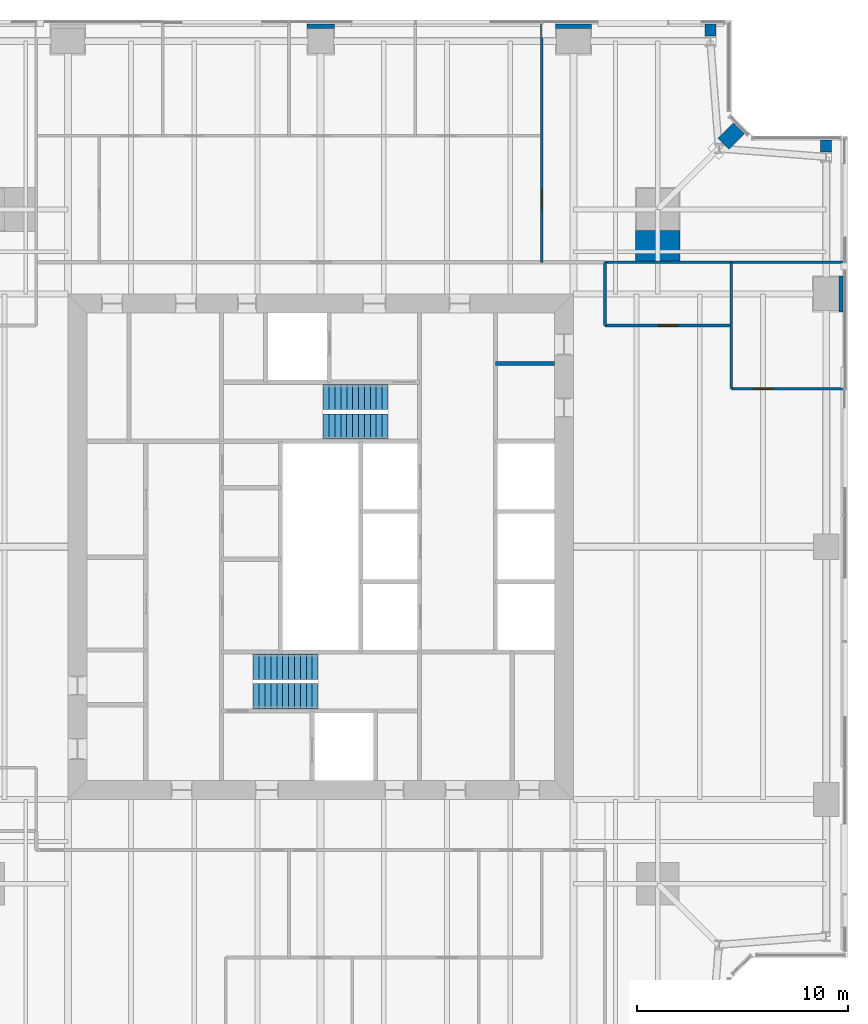
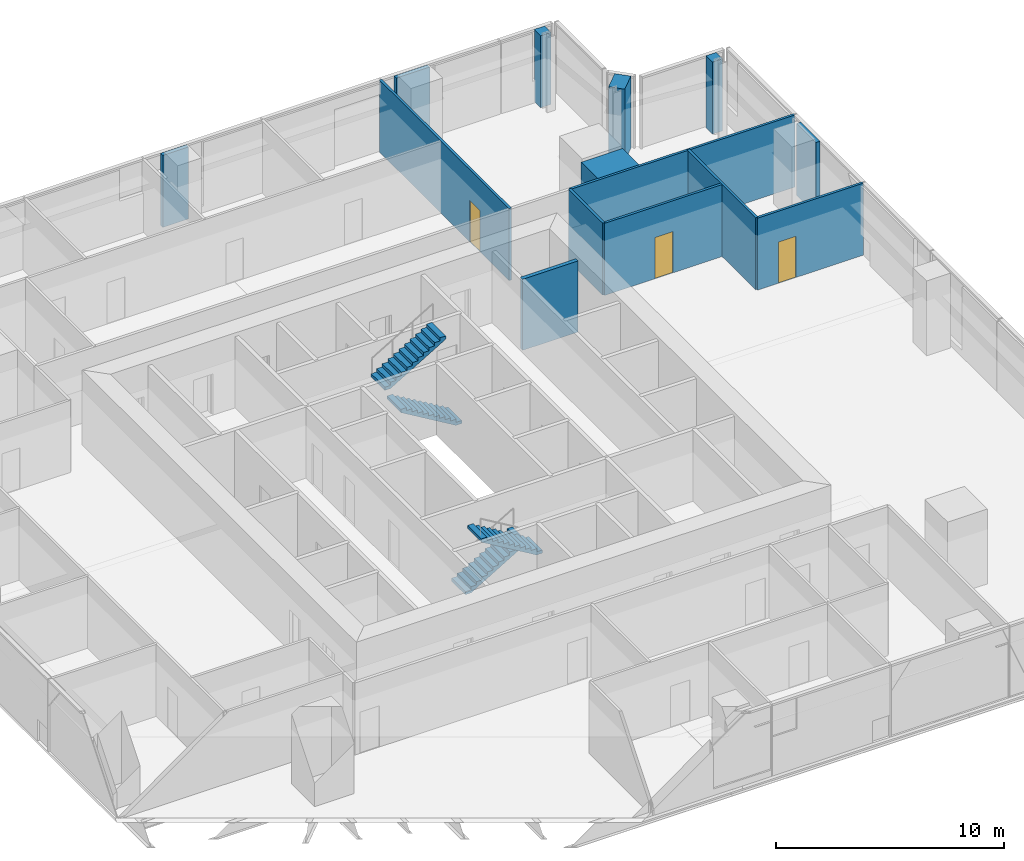
# One storey, part 12 of 14: 14 walls, 4 stair flights, 3 doors, 3 openings, 2 elements without a shape of their own.
"""IFC4 building model written with IfcOpenShell, lengths in metres."""

from ifc_helpers import new_model, si_unit, direction, frame, frame_2d, origin, place, context, subcontext, project, spatial, polyline, rectangle, outline, extrude, material, layer, layer_set, type_object, element, fill, aggregate, save


model = new_model("IFC4")

# Units and contexts
model_context = context("Model", 3, precision=1e-05, world=origin(), true_north=direction((0.0, 1.0)))
body_context = subcontext(model_context, "Body", "Model", "MODEL_VIEW")
ifc_project = project(units=[si_unit("LENGTHUNIT", "METRE"), si_unit("AREAUNIT", "SQUARE_METRE"), si_unit("VOLUMEUNIT", "CUBIC_METRE"), si_unit("PLANEANGLEUNIT", "RADIAN"), si_unit("MASSUNIT", "GRAM", prefix="KILO")], contexts=[model_context])

# Site, building, storey
site_placement = place(None, origin())
site = spatial("IfcSite", under=ifc_project, at=site_placement, CompositionType="ELEMENT")
building_placement = place(site_placement, origin())
building = spatial("IfcBuilding", under=site, at=building_placement, Name="Fenwick Lantern Interchange", CompositionType="ELEMENT")
storey_placement = place(building_placement, frame((0.0, 0.0, 189.800048828125)))
storey = spatial("IfcBuildingStorey", under=building, at=storey_placement, Name="L44", CompositionType="ELEMENT", Elevation=189.800048828125)

# Walls
ifc_material_1 = material(Name="Fire-rated gypsum board encasement on steel studs, 2 hour", Category="steel")
ifc_layer_1 = layer(ifc_material_1, 1.300048828125)
ifc_layer_set_1 = layer_set([ifc_layer_1], Name="COLUMN PIER 1300")
wall_type_1 = type_object("IfcWallType", Name="COLUMN PIER 1300", PredefinedType="PARTITIONING", material=ifc_layer_set_1)
wall_1_placement = place(storey_placement, frame((25.0, 49.800048828125, 0.0), z_axis=(0.0, 0.0, 1.0), x_axis=(0.0, -1.0, 0.0)))
element("IfcWall", 1, at=wall_1_placement, inside=storey, type_object=wall_type_1, Name="L44/W/PIER/CN3", PredefinedType="PARTITIONING", context=body_context, shape_type="SweptSolid", body=[
    extrude(rectangle(XDim=0.199951171875, YDim=1.300048828125, at=frame_2d((0.10009765625, 0.0))), origin(), (0.0, 0.0, 1.0), 3.849853515625),
])
ifc_layer_2 = layer(ifc_material_1, 1.699951171875)
ifc_layer_set_2 = layer_set([ifc_layer_2], Name="COLUMN PIER 1700")
wall_type_2 = type_object("IfcWallType", Name="COLUMN PIER 1700", PredefinedType="PARTITIONING", material=ifc_layer_set_2)
for number, where, z_axis, x_axis, name in (
    (2, (49.800048828125, 37.0, 0.0), (0.0, 0.0, 1.0), (-1.0, 0.0, 0.0), "L44/W/PIER/CE4"),
    (3, (37.0, 49.800048828125, 0.0), (0.0, 0.0, 1.0), (0.0, -1.0, 0.0), "L44/W/PIER/CN2"),
):
    element("IfcWall", number, at=place(storey_placement, frame(where, z_axis=z_axis, x_axis=x_axis)), inside=storey, type_object=wall_type_2, Name=name, PredefinedType="PARTITIONING", context=body_context, shape_type="SweptSolid", body=[
        extrude(rectangle(XDim=0.199951171875, YDim=1.699951171875, at=frame_2d((0.10009765625, 0.0))), origin(), (0.0, 0.0, 1.0), 3.849853515625),
    ])
ifc_layer_3 = layer(ifc_material_1, 2.10009765625)
ifc_layer_set_3 = layer_set([ifc_layer_3], Name="COLUMN PIER 2100")
wall_type_3 = type_object("IfcWallType", Name="COLUMN PIER 2100", PredefinedType="PARTITIONING", material=ifc_layer_set_3)
wall_2_placement = place(storey_placement, frame((41.0, 38.5625, 0.0), z_axis=(0.0, 0.0, 1.0), x_axis=(0.0, 1.0, 0.0)))
element("IfcWall", 4, at=wall_2_placement, inside=storey, type_object=wall_type_3, Name="L44/W/PIER/M3", PredefinedType="PARTITIONING", context=body_context, shape_type="SweptSolid", body=[
    extrude(rectangle(XDim=1.4375, YDim=2.10009765625, at=frame_2d((0.71875, 0.0))), origin(), (0.0, 0.0, 1.0), 3.849853515625),
])
ifc_layer_4 = layer(ifc_material_1, 0.52392578125)
ifc_layer_set_4 = layer_set([ifc_layer_4], Name="COLUMN PIER 524")
wall_type_4 = type_object("IfcWallType", Name="COLUMN PIER 524", PredefinedType="PARTITIONING", material=ifc_layer_set_4)
for number, where, z_axis, x_axis, name in (
    (5, (49.0, 44.300048828125, 0.0), (0.0, 0.0, 1.0), (0.0, -1.0, 0.0), "L44/W/PIER/CE5"),
    (6, (43.5, 49.800048828125, 0.0), (0.0, 0.0, 1.0), (0.0, -1.0, 0.0), "L44/W/PIER/CN1"),
):
    element("IfcWall", number, at=place(storey_placement, frame(where, z_axis=z_axis, x_axis=x_axis)), inside=storey, type_object=wall_type_4, Name=name, PredefinedType="PARTITIONING", context=body_context, shape_type="SweptSolid", body=[
        extrude(rectangle(XDim=0.5625, YDim=0.52392578125, at=frame_2d((0.28125, 0.0))), origin(), (0.0, 0.0, 1.0), 3.849853515625),
    ])
ifc_layer_5 = layer(ifc_material_1, 0.736083984375)
ifc_layer_set_5 = layer_set([ifc_layer_5], Name="COLUMN PIER 736")
wall_type_5 = type_object("IfcWallType", Name="COLUMN PIER 736", PredefinedType="PARTITIONING", material=ifc_layer_set_5)
wall_3_placement = place(storey_placement, frame((44.858642578125, 44.858642578125, 0.0), z_axis=(0.0, 0.0, 1.0), x_axis=(-0.707106781187, -0.707106781187, 0.0)))
element("IfcWall", 7, at=wall_3_placement, inside=storey, type_object=wall_type_5, Name="L44/W/PIER/CER", PredefinedType="PARTITIONING", context=body_context, shape_type="SweptSolid", body=[
    extrude(rectangle(XDim=1.037841796875, YDim=0.736083984375, at=frame_2d((0.51904296875, 0.0))), origin(), (0.0, 0.0, 1.0), 3.849853515625),
])
ifc_material_2 = material(Name="Concrete masonry ASTM C90 Grade N", Category="masonry")
ifc_layer_6 = layer(ifc_material_2, 0.199951171875)
ifc_layer_set_6 = layer_set([ifc_layer_6], Name="Concrete masonry ASTM C90 Grade N")
wall_type_6 = type_object("IfcWallType", Name="CORE PARTITION 200", PredefinedType="PARTITIONING", material=ifc_layer_set_6)
wall_4_placement = place(storey_placement, frame((36.10009765625, 33.699951171875, 0.0), z_axis=(0.0, 0.0, 1.0), x_axis=(-1.0, 0.0, 0.0)))
element("IfcWall", 8, at=wall_4_placement, inside=storey, type_object=wall_type_6, Name="L44/W/COREN/p1", PredefinedType="PARTITIONING", context=body_context, shape_type="SweptSolid", body=[
    extrude(rectangle(XDim=2.800048828125, YDim=0.199951171875, at=frame_2d((1.39990234375, 0.0))), origin(), (0.0, 0.0, 1.0), 3.800048828125),
])

# Wall, opening, door
ifc_material_3 = material(Name="Gypsum board on steel studs, acoustic", Category="steel")
ifc_layer_7 = layer(ifc_material_3, 0.125)
ifc_layer_set_7 = layer_set([ifc_layer_7], Name="OFFICE PARTITION 125")
wall_type_7 = type_object("IfcWallType", Name="OFFICE PARTITION 125", PredefinedType="PARTITIONING", material=ifc_layer_set_7)
wall_5_placement = place(storey_placement, frame((49.85009765625, 32.5, 0.0), z_axis=(0.0, 0.0, 1.0), x_axis=(-1.0, 0.0, 0.0)))
wall_5 = element("IfcWall", 9, at=wall_5_placement, inside=storey, type_object=wall_type_7, Name="L44/W/OFF/E/X325-1", PredefinedType="PARTITIONING", context=body_context, shape_type="SweptSolid", body=[
    extrude(rectangle(XDim=5.35009765625, YDim=0.125, at=frame_2d((2.675048828125, 0.0))), origin(), (0.0, 0.0, 1.0), 3.849853515625),
])
opening_1_placement = place(wall_5_placement, frame((3.39990234375, 0.0, 0.0)))
opening_1 = element("IfcOpeningElement", 10, at=opening_1_placement, cuts=wall_5, Name="Opening L44-D030", PredefinedType="OPENING", context=body_context, shape_type="SweptSolid", body=[
    extrude(rectangle(XDim=0.89990234375, YDim=2.199951171875, at=frame_2d((0.449951171875, 1.10009765625))), frame((0.0, 0.072509765625, 0.0), z_axis=(0.0, -1.0, 0.0), x_axis=(1.0, 0.0, 0.0)), (0.0, 0.0, 1.0), 0.14501953125),
])
ifc_material_4 = material(Name="Hardwood door and steel frame", Category="steel")
door_type = type_object("IfcDoorType", Name="OFFICE DOOR 900 X 2200", OperationType="SINGLE_SWING_LEFT", PredefinedType="DOOR", material=ifc_material_4)
door_1_placement = place(opening_1_placement, frame((0.89990234375, 0.0, 0.0), z_axis=(0.0, 0.0, 1.0), x_axis=(-1.0, 0.0, 0.0)))
door_1 = element("IfcDoor", 11, at=door_1_placement, inside=storey, type_object=door_type, Name="Office door", OperationType="SINGLE_SWING_LEFT", OverallHeight=2.199951171875, OverallWidth=0.89990234375, PredefinedType="DOOR", context=body_context, shape_type="SweptSolid", body=[
    extrude(rectangle(XDim=0.89990234375, YDim=2.199951171875, at=frame_2d((0.449951171875, 1.10009765625))), frame((0.0, 0.02490234375, 0.0), z_axis=(0.0, -1.0, 0.0), x_axis=(1.0, 0.0, 0.0)), (0.0, 0.0, 1.0), 0.050048828125),
])
fill(opening_1, door_1)

wall_6_placement = place(storey_placement, frame((44.5, 35.5, 0.0), z_axis=(0.0, 0.0, 1.0), x_axis=(-1.0, 0.0, 0.0)))
wall_6 = element("IfcWall", 12, at=wall_6_placement, inside=storey, type_object=wall_type_7, Name="L44/W/OFF/E/X355-1", PredefinedType="PARTITIONING", context=body_context, shape_type="SweptSolid", body=[
    extrude(rectangle(XDim=6.0, YDim=0.125, at=frame_2d((3.0, 0.0))), origin(), (0.0, 0.0, 1.0), 3.849853515625),
])
opening_2_placement = place(wall_6_placement, frame((2.550048828125, 0.0, 0.0)))
opening_2 = element("IfcOpeningElement", 13, at=opening_2_placement, cuts=wall_6, Name="Opening L44-D031", PredefinedType="OPENING", context=body_context, shape_type="SweptSolid", body=[
    extrude(rectangle(XDim=0.89990234375, YDim=2.199951171875, at=frame_2d((0.449951171875, 1.10009765625))), frame((0.0, 0.072509765625, 0.0), z_axis=(0.0, -1.0, 0.0), x_axis=(1.0, 0.0, 0.0)), (0.0, 0.0, 1.0), 0.14501953125),
])
door_2_placement = place(opening_2_placement, frame((0.89990234375, 0.0, 0.0), z_axis=(0.0, 0.0, 1.0), x_axis=(-1.0, 0.0, 0.0)))
door_2 = element("IfcDoor", 14, at=door_2_placement, inside=storey, type_object=door_type, Name="Office door", OperationType="SINGLE_SWING_RIGHT", OverallHeight=2.199951171875, OverallWidth=0.89990234375, PredefinedType="DOOR", context=body_context, shape_type="SweptSolid", body=[
    extrude(rectangle(XDim=0.89990234375, YDim=2.199951171875, at=frame_2d((0.449951171875, 1.10009765625))), frame((0.0, 0.02490234375, 0.0), z_axis=(0.0, -1.0, 0.0), x_axis=(1.0, 0.0, 0.0)), (0.0, 0.0, 1.0), 0.050048828125),
])
fill(opening_2, door_2)

# Walls
wall_7_placement = place(storey_placement, frame((44.5, 32.5, 0.0), z_axis=(0.0, 0.0, 1.0), x_axis=(0.0, 1.0, 0.0)))
element("IfcWall", 15, at=wall_7_placement, inside=storey, type_object=wall_type_7, Name="L44/W/OFF/E/Y55-1", PredefinedType="PARTITIONING", context=body_context, shape_type="SweptSolid", body=[
    extrude(rectangle(XDim=6.0, YDim=0.125, at=frame_2d((3.0, 0.0))), origin(), (0.0, 0.0, 1.0), 3.849853515625),
])
wall_8_placement = place(storey_placement, frame((38.5, 35.5, 0.0), z_axis=(0.0, 0.0, 1.0), x_axis=(0.0, 1.0, 0.0)))
element("IfcWall", 16, at=wall_8_placement, inside=storey, type_object=wall_type_7, Name="L44/W/OFF/E/CWS1", PredefinedType="PARTITIONING", context=body_context, shape_type="SweptSolid", body=[
    extrude(rectangle(XDim=3.0, YDim=0.125, at=frame_2d((1.5, 0.0))), origin(), (0.0, 0.0, 1.0), 3.849853515625),
])
wall_9_placement = place(storey_placement, frame((49.85009765625, 38.5, 0.0), z_axis=(0.0, 0.0, 1.0), x_axis=(-1.0, 0.0, 0.0)))
element("IfcWall", 17, at=wall_9_placement, inside=storey, type_object=wall_type_7, Name="L44/W/OFF/N/BACK", PredefinedType="PARTITIONING", context=body_context, shape_type="SweptSolid", body=[
    extrude(rectangle(XDim=11.35009765625, YDim=0.125, at=frame_2d((5.675048828125, 0.0))), origin(), (0.0, 0.0, 1.0), 3.849853515625),
])

# Wall, opening, door
wall_10_placement = place(storey_placement, frame((35.5, 49.85009765625, 0.0), z_axis=(0.0, 0.0, 1.0), x_axis=(0.0, -1.0, 0.0)))
wall_10 = element("IfcWall", 18, at=wall_10_placement, inside=storey, type_object=wall_type_7, Name="L44/W/OFF/N/X145-1", PredefinedType="PARTITIONING", context=body_context, shape_type="SweptSolid", body=[
    extrude(rectangle(XDim=11.35009765625, YDim=0.125, at=frame_2d((5.675048828125, 0.0))), origin(), (0.0, 0.0, 1.0), 3.849853515625),
])
opening_3_placement = place(wall_10_placement, frame((7.89990234375, 0.0, 0.0)))
opening_3 = element("IfcOpeningElement", 19, at=opening_3_placement, cuts=wall_10, Name="Opening L44-D033", PredefinedType="OPENING", context=body_context, shape_type="SweptSolid", body=[
    extrude(rectangle(XDim=0.89990234375, YDim=2.199951171875, at=frame_2d((0.449951171875, 1.10009765625))), frame((0.0, 0.072509765625, 0.0), z_axis=(0.0, -1.0, 0.0), x_axis=(1.0, 0.0, 0.0)), (0.0, 0.0, 1.0), 0.14501953125),
])
door_3_placement = place(opening_3_placement, origin())
door_3 = element("IfcDoor", 20, at=door_3_placement, inside=storey, type_object=door_type, Name="Office door", OperationType="SINGLE_SWING_RIGHT", OverallHeight=2.199951171875, OverallWidth=0.89990234375, PredefinedType="DOOR", context=body_context, shape_type="SweptSolid", body=[
    extrude(rectangle(XDim=0.89990234375, YDim=2.199951171875, at=frame_2d((0.449951171875, 1.10009765625))), frame((0.0, 0.02490234375, 0.0), z_axis=(0.0, -1.0, 0.0), x_axis=(1.0, 0.0, 0.0)), (0.0, 0.0, 1.0), 0.050048828125),
])
fill(opening_3, door_3)

# Stair, stair flights
ifc_material_5 = material(Name="Precast concrete f'c 35 MPa", Category="concrete")
stair_type = type_object("IfcStairType", Name="EXIT STAIR 1200", PredefinedType="HALF_TURN_STAIR", material=ifc_material_5)
stair_1_placement = place(storey_placement, origin())
stair_1 = element("IfcStair", 21, at=stair_1_placement, inside=storey, type_object=stair_type, Name="Exit stair ST1", PredefinedType="HALF_TURN_STAIR")
stair_flight_type = type_object("IfcStairFlightType", Name="STAIR FLIGHT 1200", PredefinedType="STRAIGHT", material=ifc_material_5)
stair_flight_1_placement = place(storey_placement, frame((21.800048828125, 19.300048828125, 0.0), z_axis=(0.0, 0.0, 1.0), x_axis=(1.0, 0.0, 0.0)))
stair_flight_1 = element("IfcStairFlight", 22, at=stair_flight_1_placement, type_object=stair_flight_type, Name="ST1 flight 1", NumberOfRisers=12, NumberOfTreads=11, PredefinedType="STRAIGHT", RiserHeight=0.166666667, TreadLength=0.28, context=body_context, shape_type="SweptSolid", body=[
    extrude(outline(polyline([(0.0, 0.0), (0.0, 0.166748046875), (0.280029296875, 0.166748046875), (0.280029296875, 0.333251953125), (0.56005859375, 0.333251953125), (0.56005859375, 0.5), (0.840087890625, 0.5), (0.840087890625, 0.666748046875), (1.1201171875, 0.666748046875), (1.1201171875, 0.833251953125), (1.39990234375, 0.833251953125), (1.39990234375, 1.0), (1.679931640625, 1.0), (1.679931640625, 1.166748046875), (1.9599609375, 1.166748046875), (1.9599609375, 1.333251953125), (2.239990234375, 1.333251953125), (2.239990234375, 1.5), (2.52001953125, 1.5), (2.52001953125, 1.666748046875), (2.800048828125, 1.666748046875), (2.800048828125, 1.833251953125), (3.080078125, 1.833251953125), (3.080078125, 2.0), (3.080078125, 1.658935546875), (0.29296875, 0.0), (0.0, 0.0)])), frame((0.0, 0.60009765625, 0.0), z_axis=(0.0, -1.0, 0.0), x_axis=(1.0, 0.0, 0.0)), (0.0, 0.0, 1.0), 1.199951171875),
])
stair_flight_2_placement = place(storey_placement, frame((24.8798828125, 17.89990234375, 2.0), z_axis=(0.0, 0.0, 1.0), x_axis=(-1.0, 0.0, 0.0)))
stair_flight_2 = element("IfcStairFlight", 23, at=stair_flight_2_placement, type_object=stair_flight_type, Name="ST1 flight 2", NumberOfRisers=12, NumberOfTreads=11, PredefinedType="STRAIGHT", RiserHeight=0.166666667, TreadLength=0.28, context=body_context, shape_type="SweptSolid", body=[
    extrude(outline(polyline([(0.0, 0.0), (0.0, 0.166748046875), (0.280029296875, 0.166748046875), (0.280029296875, 0.333251953125), (0.56005859375, 0.333251953125), (0.56005859375, 0.5), (0.840087890625, 0.5), (0.840087890625, 0.666748046875), (1.1201171875, 0.666748046875), (1.1201171875, 0.833251953125), (1.39990234375, 0.833251953125), (1.39990234375, 1.0), (1.679931640625, 1.0), (1.679931640625, 1.166748046875), (1.9599609375, 1.166748046875), (1.9599609375, 1.333251953125), (2.239990234375, 1.333251953125), (2.239990234375, 1.5), (2.52001953125, 1.5), (2.52001953125, 1.666748046875), (2.800048828125, 1.666748046875), (2.800048828125, 1.833251953125), (3.080078125, 1.833251953125), (3.080078125, 2.0), (3.080078125, 1.658935546875), (0.29296875, 0.0), (0.0, 0.0)])), frame((0.0, 0.60009765625, 0.0), z_axis=(0.0, -1.0, 0.0), x_axis=(1.0, 0.0, 0.0)), (0.0, 0.0, 1.0), 1.199951171875),
])
aggregate(stair_1, [stair_flight_1, stair_flight_2])

stair_2_placement = place(storey_placement, origin())
stair_2 = element("IfcStair", 24, at=stair_2_placement, inside=storey, type_object=stair_type, Name="Exit stair ST2", PredefinedType="HALF_TURN_STAIR")
stair_flight_3_placement = place(storey_placement, frame((28.199951171875, 30.699951171875, 0.0), z_axis=(0.0, 0.0, 1.0), x_axis=(-1.0, 0.0, 0.0)))
stair_flight_3 = element("IfcStairFlight", 25, at=stair_flight_3_placement, type_object=stair_flight_type, Name="ST2 flight 1", NumberOfRisers=12, NumberOfTreads=11, PredefinedType="STRAIGHT", RiserHeight=0.166666667, TreadLength=0.28, context=body_context, shape_type="SweptSolid", body=[
    extrude(outline(polyline([(0.0, 0.0), (0.0, 0.166748046875), (0.280029296875, 0.166748046875), (0.280029296875, 0.333251953125), (0.56005859375, 0.333251953125), (0.56005859375, 0.5), (0.840087890625, 0.5), (0.840087890625, 0.666748046875), (1.1201171875, 0.666748046875), (1.1201171875, 0.833251953125), (1.39990234375, 0.833251953125), (1.39990234375, 1.0), (1.679931640625, 1.0), (1.679931640625, 1.166748046875), (1.9599609375, 1.166748046875), (1.9599609375, 1.333251953125), (2.239990234375, 1.333251953125), (2.239990234375, 1.5), (2.52001953125, 1.5), (2.52001953125, 1.666748046875), (2.800048828125, 1.666748046875), (2.800048828125, 1.833251953125), (3.080078125, 1.833251953125), (3.080078125, 2.0), (3.080078125, 1.658935546875), (0.29296875, 0.0), (0.0, 0.0)])), frame((0.0, 0.60009765625, 0.0), z_axis=(0.0, -1.0, 0.0), x_axis=(1.0, 0.0, 0.0)), (0.0, 0.0, 1.0), 1.199951171875),
])
stair_flight_4_placement = place(storey_placement, frame((25.1201171875, 32.10009765625, 2.0), z_axis=(0.0, 0.0, 1.0), x_axis=(1.0, 0.0, 0.0)))
stair_flight_4 = element("IfcStairFlight", 26, at=stair_flight_4_placement, type_object=stair_flight_type, Name="ST2 flight 2", NumberOfRisers=12, NumberOfTreads=11, PredefinedType="STRAIGHT", RiserHeight=0.166666667, TreadLength=0.28, context=body_context, shape_type="SweptSolid", body=[
    extrude(outline(polyline([(0.0, 0.0), (0.0, 0.166748046875), (0.280029296875, 0.166748046875), (0.280029296875, 0.333251953125), (0.56005859375, 0.333251953125), (0.56005859375, 0.5), (0.840087890625, 0.5), (0.840087890625, 0.666748046875), (1.1201171875, 0.666748046875), (1.1201171875, 0.833251953125), (1.39990234375, 0.833251953125), (1.39990234375, 1.0), (1.679931640625, 1.0), (1.679931640625, 1.166748046875), (1.9599609375, 1.166748046875), (1.9599609375, 1.333251953125), (2.239990234375, 1.333251953125), (2.239990234375, 1.5), (2.52001953125, 1.5), (2.52001953125, 1.666748046875), (2.800048828125, 1.666748046875), (2.800048828125, 1.833251953125), (3.080078125, 1.833251953125), (3.080078125, 2.0), (3.080078125, 1.658935546875), (0.29296875, 0.0), (0.0, 0.0)])), frame((0.0, 0.60009765625, 0.0), z_axis=(0.0, -1.0, 0.0), x_axis=(1.0, 0.0, 0.0)), (0.0, 0.0, 1.0), 1.199951171875),
])
aggregate(stair_2, [stair_flight_3, stair_flight_4])

save(model, "model.ifc")
